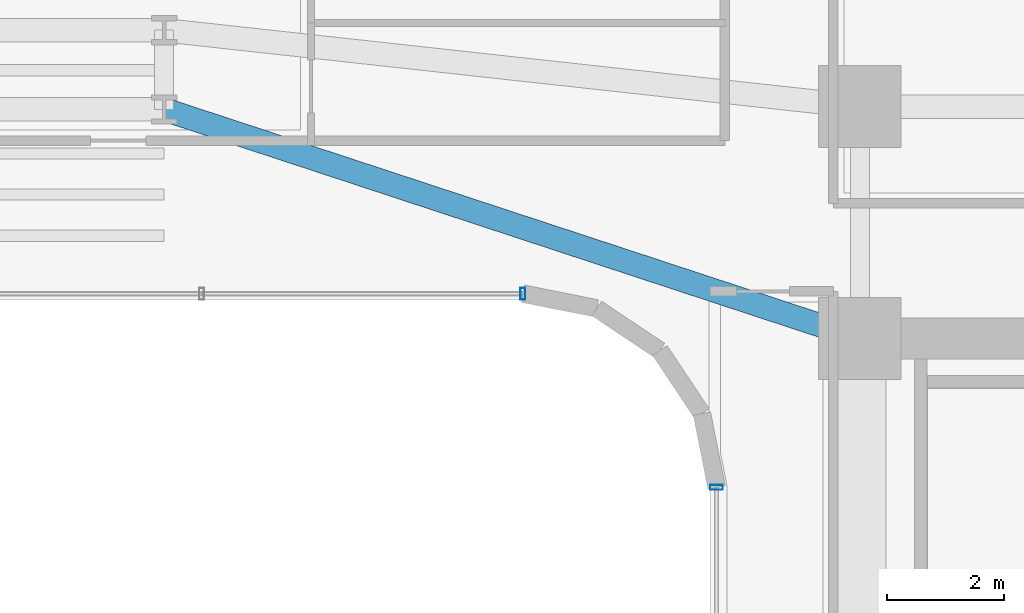
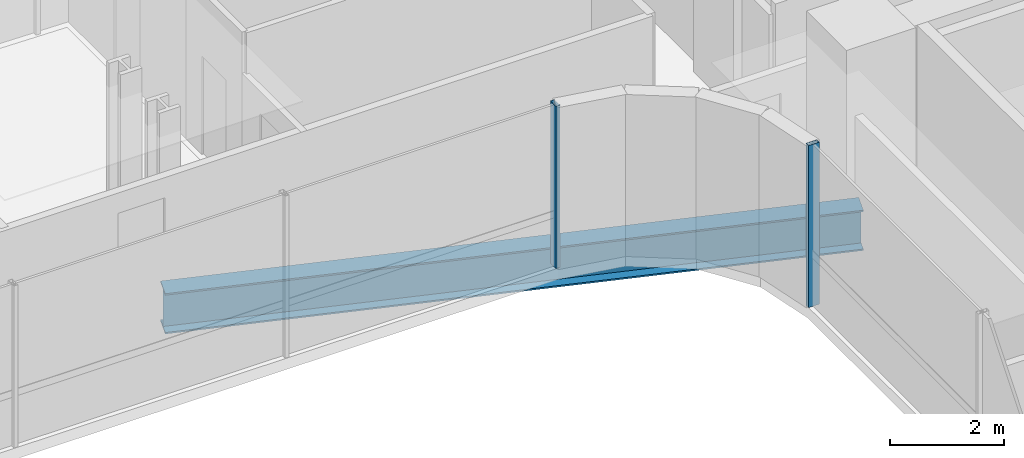
# One storey, part 17 of 41: 2 members, 1 beam, 2 elements without a shape of their own.
"""IFC4 building model written with IfcOpenShell, lengths in metres."""

from ifc_helpers import new_model, si_unit, direction, frame, origin, origin_2d, place, context, subcontext, project, spatial, hollow_rectangle, i_section, extrude, source, transform, mapped, material, material_profile, profile_set, type_object, element, aggregate, save


model = new_model("IFC4")

# Units and contexts
model_context = context("Model", 3, precision=1e-05, world=origin(), true_north=direction((0.0, 1.0)))
body_context = subcontext(model_context, "Body", "Model", "MODEL_VIEW")
ifc_project = project(units=[si_unit("LENGTHUNIT", "METRE"), si_unit("AREAUNIT", "SQUARE_METRE"), si_unit("VOLUMEUNIT", "CUBIC_METRE"), si_unit("PLANEANGLEUNIT", "RADIAN"), si_unit("MASSUNIT", "GRAM", prefix="KILO")], contexts=[model_context])

# Site, building, storey
site_placement = place(None, origin())
site = spatial("IfcSite", under=ifc_project, at=site_placement, CompositionType="ELEMENT")
building_placement = place(site_placement, origin())
building = spatial("IfcBuilding", under=site, at=building_placement, Name="Valdorenza Pilgrim Sanctuary Tower", CompositionType="ELEMENT")
storey_placement = place(building_placement, frame((0.0, 0.0, 85.199951171875)))
storey = spatial("IfcBuildingStorey", under=building, at=storey_placement, Name="L21", CompositionType="ELEMENT", Elevation=85.199951171875)

# Beam
ifc_material_1 = material(Name="Steel ASTM A992 Grade 50", Category="steel")
ifc_material_profile_1 = material_profile(ifc_material_1, i_section(OverallWidth=0.39990234375, OverallDepth=0.862060546875, WebThickness=0.019775390625, FlangeThickness=0.032470703125, at=origin_2d()), Name="W33X221")
ifc_profile_set_1 = profile_set([ifc_material_profile_1], Name="Steel ASTM A992 Grade 50")
beam_type = type_object("IfcBeamType", Name="STR-BM-GRD-W33", PredefinedType="BEAM", material=ifc_profile_set_1)
shared_shape_1 = source(origin(), body_context, "Body", "SweptSolid", [
    extrude(i_section(OverallWidth=0.39990234375, OverallDepth=0.862060546875, WebThickness=0.019775390625, FlangeThickness=0.032470703125, at=origin_2d()), origin(), (0.0, 0.0, 1.0), 12.475341796875),
])
beam_placement = place(storey_placement, frame((4.0, 13.449951171875, -0.6708984375), z_axis=(0.949881908141, -0.312608957943, 0.0), x_axis=(0.312608957943, 0.949881908141, 0.0)))
element("IfcBeam", 1, at=beam_placement, inside=storey, type_object=beam_type, Name="L21 Floor Girder KNK-G3", PredefinedType="BEAM", context=body_context, shape_type="MappedRepresentation", body=[
    mapped(shared_shape_1, transform((0.0, 0.0, 0.0), x_axis=(1.0, 0.0, 0.0), y_axis=(0.0, 1.0, 0.0), z_axis=(0.0, 0.0, 1.0), scale=1.0)),
])

# Curtain wall, member
ifc_material_2 = material(Name="Curtain-wall IGU glazing", Category="glass")
curtain_wall_type_1 = type_object("IfcCurtainWallType", Name="CW-SYS-02", PredefinedType="NOTDEFINED", material=ifc_material_2)
curtain_wall_1_placement = place(storey_placement, origin())
curtain_wall_1 = element("IfcCurtainWall", 2, at=curtain_wall_1_placement, inside=storey, type_object=curtain_wall_type_1, Name="L21 Curtain Wall CW-L21-1-36", PredefinedType="NOTDEFINED")
ifc_material_3 = material(Name="Anodised aluminium AW-6060", Category="aluminium")
ifc_material_profile_2 = material_profile(ifc_material_3, hollow_rectangle(XDim=0.0849609375, YDim=0.199951171875, WallThickness=0.0048828125, at=origin_2d()), Name="ALU-M 200x85x5")
ifc_profile_set_2 = profile_set([ifc_material_profile_2], Name="Anodised aluminium AW-6060")
member_type_1 = type_object("IfcMemberType", Name="CW-MUL-02", PredefinedType="MULLION", material=ifc_profile_set_2)
shared_shape_2 = source(origin(), body_context, "Body", "SweptSolid", [
    extrude(hollow_rectangle(XDim=0.0849609375, YDim=0.199951171875, WallThickness=0.0048828125, at=origin_2d()), origin(), (0.0, 0.0, 1.0), 3.4599609375),
])
member_1_placement = place(storey_placement, frame((10.11083984375, 10.31005859375, 0.0), z_axis=(0.0, 0.0, 1.0), x_axis=(-1.0, 0.0, 0.0)))
member_1 = element("IfcMember", 3, at=member_1_placement, type_object=member_type_1, Name="CW-L21-1-36 Mullion 1", PredefinedType="MULLION", context=body_context, shape_type="MappedRepresentation", body=[
    mapped(shared_shape_2, transform((0.0, 0.0, 0.0), x_axis=(1.0, 0.0, 0.0), y_axis=(0.0, 1.0, 0.0), z_axis=(0.0, 0.0, 1.0), scale=1.0)),
])
aggregate(curtain_wall_1, [member_1])

curtain_wall_type_2 = type_object("IfcCurtainWallType", Name="CW-SYS-03", PredefinedType="NOTDEFINED", material=ifc_material_2)
curtain_wall_2_placement = place(storey_placement, origin())
curtain_wall_2 = element("IfcCurtainWall", 4, at=curtain_wall_2_placement, inside=storey, type_object=curtain_wall_type_2, Name="L21 Curtain Wall CW-L21-1-31", PredefinedType="NOTDEFINED")
ifc_material_profile_3 = material_profile(ifc_material_3, hollow_rectangle(XDim=0.0849609375, YDim=0.219970703125, WallThickness=0.0048828125, at=origin_2d()), Name="ALU-M 220x85x5")
ifc_profile_set_3 = profile_set([ifc_material_profile_3], Name="Anodised aluminium AW-6060")
member_type_2 = type_object("IfcMemberType", Name="CW-MUL-03", PredefinedType="MULLION", material=ifc_profile_set_3)
shared_shape_3 = source(origin(), body_context, "Body", "SweptSolid", [
    extrude(hollow_rectangle(XDim=0.0849609375, YDim=0.219970703125, WallThickness=0.0048828125, at=origin_2d()), origin(), (0.0, 0.0, 1.0), 3.4599609375),
])
member_2_placement = place(storey_placement, frame((13.409912109375, 7.0107421875, 0.0), z_axis=(0.0, 0.0, 1.0), x_axis=(0.0, 1.0, 0.0)))
member_2 = element("IfcMember", 5, at=member_2_placement, type_object=member_type_2, Name="CW-L21-1-31 Mullion 4", PredefinedType="MULLION", context=body_context, shape_type="MappedRepresentation", body=[
    mapped(shared_shape_3, transform((0.0, 0.0, 0.0), x_axis=(1.0, 0.0, 0.0), y_axis=(0.0, 1.0, 0.0), z_axis=(0.0, 0.0, 1.0), scale=1.0)),
])
aggregate(curtain_wall_2, [member_2])

save(model, "model.ifc")
